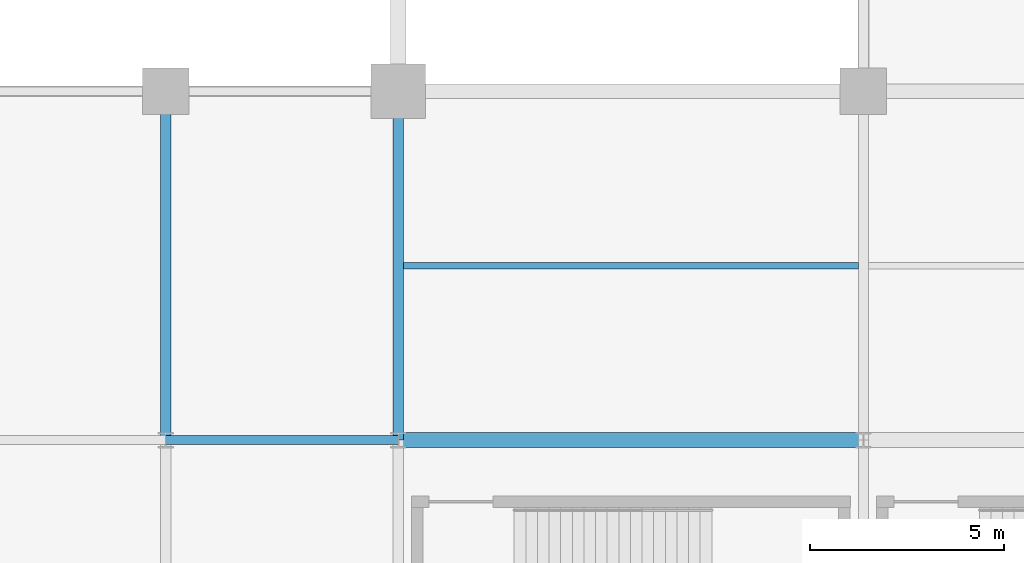
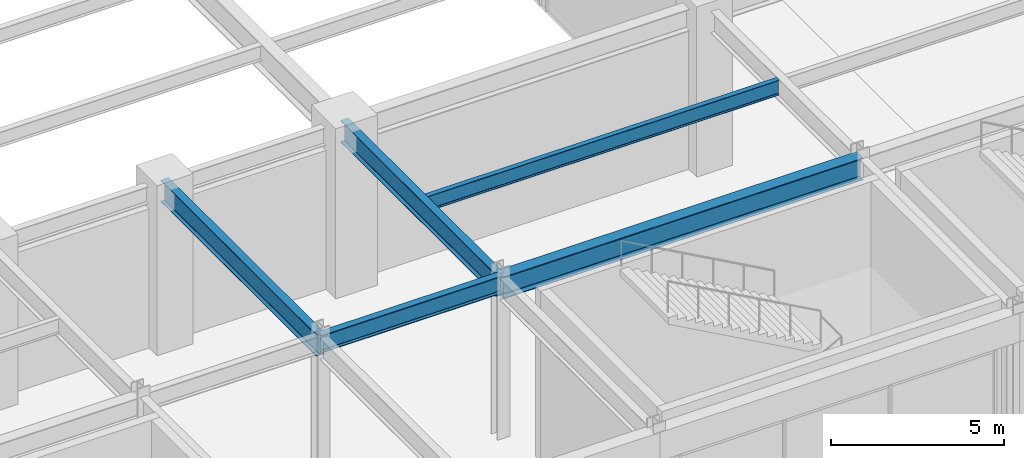
# One storey, part 26 of 105: 5 beams.
"""IFC4 building model written with IfcOpenShell, lengths in metres."""

from ifc_helpers import new_model, si_unit, direction, frame, origin, origin_2d, place, context, subcontext, project, spatial, i_section, extrude, material, material_profile, profile_set, type_object, element, save


model = new_model("IFC4")

# Units and contexts
model_context = context("Model", 3, precision=1e-05, world=origin(), true_north=direction((0.0, 1.0)))
body_context = subcontext(model_context, "Body", "Model", "MODEL_VIEW")
ifc_project = project(units=[si_unit("LENGTHUNIT", "METRE"), si_unit("AREAUNIT", "SQUARE_METRE"), si_unit("VOLUMEUNIT", "CUBIC_METRE"), si_unit("PLANEANGLEUNIT", "RADIAN"), si_unit("MASSUNIT", "GRAM", prefix="KILO")], contexts=[model_context])

# Site, building, storey
site_placement = place(None, origin())
site = spatial("IfcSite", under=ifc_project, at=site_placement, CompositionType="ELEMENT")
building_placement = place(site_placement, origin())
building = spatial("IfcBuilding", under=site, at=building_placement, Name="Kaldorvane Square Convention Centre", CompositionType="ELEMENT")
storey_placement = place(building_placement, frame((0.0, 0.0, 6.0)))
storey = spatial("IfcBuildingStorey", under=building, at=storey_placement, Name="L01", CompositionType="ELEMENT", Elevation=6.0)

# Beams
ifc_material = material(Name="Steel ASTM A992 Gr. 50", Category="steel")
ifc_material_profile_1 = material_profile(ifc_material, i_section(OverallWidth=0.2303009033203125, OverallDepth=0.61749267578125, WebThickness=0.0131072998046875, FlangeThickness=0.0222015380859375, FilletRadius=0.0126953125, at=origin_2d()), Name="W24X94")
ifc_profile_set_1 = profile_set([ifc_material_profile_1], Name="Steel ASTM A992 Gr. 50")
beam_type_1 = type_object("IfcBeamType", Name="BM-GR-W24X94", PredefinedType="BEAM", material=ifc_profile_set_1)
beam_1_placement = place(storey_placement, frame((96.0, 9.0, 5.3672943115234375), z_axis=(1.0, 0.0, 0.0), x_axis=(0.0, 1.0, 0.0)))
element("IfcBeam", 1, at=beam_1_placement, inside=storey, type_object=beam_type_1, Name="Primary Girder (L01)", PredefinedType="BEAM", context=body_context, shape_type="SweptSolid", body=[
    extrude(i_section(OverallWidth=0.2303009033203125, OverallDepth=0.61749267578125, WebThickness=0.0131072998046875, FlangeThickness=0.0222015380859375, FilletRadius=0.0126953125, at=origin_2d()), origin(), (0.0, 0.0, 1.0), 6.0),
])
ifc_material_profile_2 = material_profile(ifc_material, i_section(OverallWidth=0.2666015625, OverallDepth=0.762298583984375, WebThickness=0.014404296875, FlangeThickness=0.0216064453125, FilletRadius=0.0164947509765625, at=origin_2d()), Name="W30X116")
ifc_profile_set_2 = profile_set([ifc_material_profile_2], Name="Steel ASTM A992 Gr. 50")
beam_type_2 = type_object("IfcBeamType", Name="BM-GR-W30X116", PredefinedType="BEAM", material=ifc_profile_set_2)
for number, where, z_axis, x_axis, name in (
    (2, (96.0, 9.0, 5.2949066162109375), (0.0, 1.0, 0.0), (-1.0, 0.0, 0.0), "Transverse Girder (L01)"),
    (3, (102.0, 9.0, 5.2949066162109375), (0.0, 1.0, 0.0), (-1.0, 0.0, 0.0), "Transverse Girder (L01)"),
):
    element("IfcBeam", number, at=place(storey_placement, frame(where, z_axis=z_axis, x_axis=x_axis)), inside=storey, type_object=beam_type_2, Name=name, PredefinedType="BEAM", context=body_context, shape_type="SweptSolid", body=[
        extrude(i_section(OverallWidth=0.2666015625, OverallDepth=0.762298583984375, WebThickness=0.014404296875, FlangeThickness=0.0216064453125, FilletRadius=0.0164947509765625, at=origin_2d()), origin(), (0.0, 0.0, 1.0), 9.0),
    ])
ifc_material_profile_3 = material_profile(ifc_material, i_section(OverallWidth=0.380706787109375, OverallDepth=0.773193359375, WebThickness=0.0166015625, FlangeThickness=0.027099609375, FilletRadius=0.0164947509765625, at=origin_2d()), Name="W30X173")
ifc_profile_set_3 = profile_set([ifc_material_profile_3], Name="Steel ASTM A992 Gr. 50")
beam_type_3 = type_object("IfcBeamType", Name="BM-GR-W30X173", PredefinedType="BEAM", material=ifc_profile_set_3)
beam_2_placement = place(storey_placement, frame((102.0, 9.0, 5.289398193359375), z_axis=(1.0, 0.0, 0.0), x_axis=(0.0, 1.0, 0.0)))
element("IfcBeam", 4, at=beam_2_placement, inside=storey, type_object=beam_type_3, Name="Primary Girder (L01)", PredefinedType="BEAM", context=body_context, shape_type="SweptSolid", body=[
    extrude(i_section(OverallWidth=0.380706787109375, OverallDepth=0.773193359375, WebThickness=0.0166015625, FlangeThickness=0.027099609375, FilletRadius=0.0164947509765625, at=origin_2d()), origin(), (0.0, 0.0, 1.0), 12.0),
])
ifc_material_profile_4 = material_profile(ifc_material, i_section(OverallWidth=0.1658935546875, OverallDepth=0.5290985107421875, WebThickness=0.00970458984375, FlangeThickness=0.0135955810546875, FilletRadius=0.0126953125, at=origin_2d()), Name="W21X50")
ifc_profile_set_4 = profile_set([ifc_material_profile_4], Name="Steel ASTM A992 Gr. 50")
beam_type_4 = type_object("IfcBeamType", Name="BM-JS-W21X50", PredefinedType="JOIST", material=ifc_profile_set_4)
beam_3_placement = place(storey_placement, frame((102.13330078125, 13.5, 5.4114990234375), z_axis=(1.0, 0.0, 0.0), x_axis=(0.0, 1.0, 0.0)))
element("IfcBeam", 5, at=beam_3_placement, inside=storey, type_object=beam_type_4, Name="Secondary Floor Joist (L01)", PredefinedType="JOIST", context=body_context, shape_type="SweptSolid", body=[
    extrude(i_section(OverallWidth=0.1658935546875, OverallDepth=0.5290985107421875, WebThickness=0.00970458984375, FlangeThickness=0.0135955810546875, FilletRadius=0.0126953125, at=origin_2d()), origin(), (0.0, 0.0, 1.0), 11.7333984375),
])

save(model, "model.ifc")
